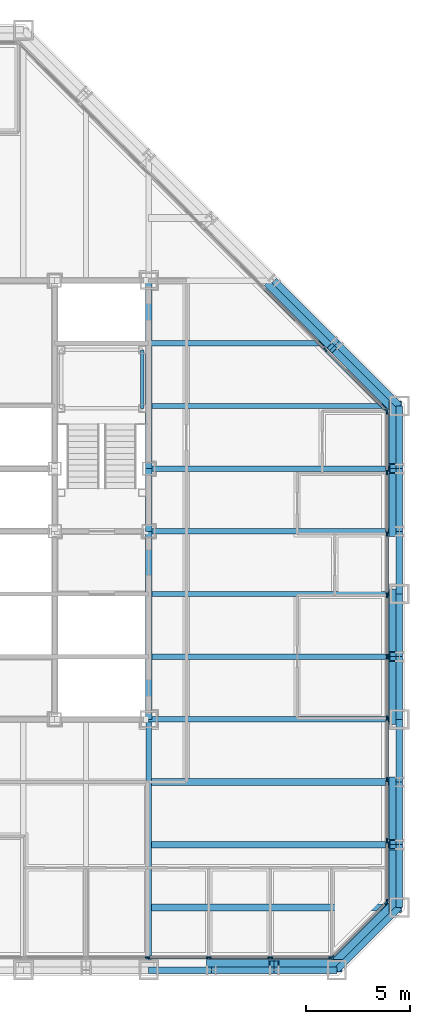
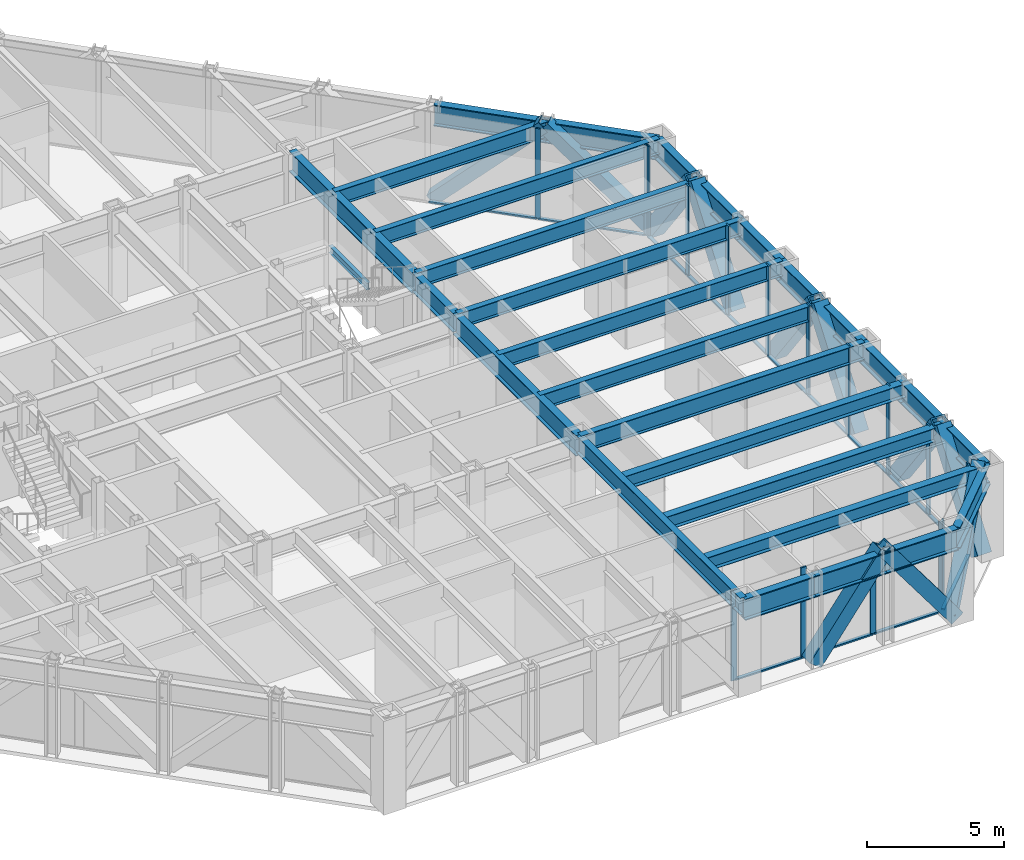
# One storey, part 6 of 16: 42 members, 29 beams, 4 elements without a shape of their own.
"""IFC4 building model written with IfcOpenShell, lengths in metres."""

from ifc_helpers import new_model, si_unit, direction, frame, origin, origin_2d, place, context, subcontext, project, spatial, rectangle, hollow_rectangle, i_section, extrude, material, layer, layer_set, material_profile, profile_set, type_object, element, aggregate, save


model = new_model("IFC4")

# Units and contexts
model_context = context("Model", 3, precision=1e-05, world=origin(), true_north=direction((0.0, 1.0)))
body_context = subcontext(model_context, "Body", "Model", "MODEL_VIEW")
ifc_project = project(units=[si_unit("LENGTHUNIT", "METRE"), si_unit("AREAUNIT", "SQUARE_METRE"), si_unit("VOLUMEUNIT", "CUBIC_METRE"), si_unit("PLANEANGLEUNIT", "RADIAN"), si_unit("MASSUNIT", "GRAM", prefix="KILO")], contexts=[model_context])

# Site, building, storey
site_placement = place(None, origin())
site = spatial("IfcSite", under=ifc_project, at=site_placement, CompositionType="ELEMENT")
building_placement = place(site_placement, origin())
building = spatial("IfcBuilding", under=site, at=building_placement, Name="Chuquiago Exchange Tower", CompositionType="ELEMENT")
storey_placement = place(building_placement, frame((0.0, 0.0, 153.0)))
storey = spatial("IfcBuildingStorey", under=building, at=storey_placement, Name="L33", CompositionType="ELEMENT", Elevation=153.0)

# Beams
ifc_material_1 = material(Name="Steel ASTM A992", Category="steel")
ifc_material_profile_1 = material_profile(ifc_material_1, i_section(OverallWidth=0.25390625, OverallDepth=0.683349609375, WebThickness=0.012451171875, FlangeThickness=0.018798828125, at=origin_2d()), Name="W27X94")
ifc_profile_set_1 = profile_set([ifc_material_profile_1], Name="Steel ASTM A992")
beam_type_1 = type_object("IfcBeamType", Name="B1 W27X94", PredefinedType="BEAM", material=ifc_profile_set_1)
for number, where, z_axis, x_axis, name in (
    (1, (33.0, 15.0, 3.698486328125), (1.0, 0.0, 0.0), (0.0, 1.0, 0.0), "FB-L34-infill-33_15-45_15-0"),
    (2, (33.0, 18.0, 3.698486328125), (1.0, 0.0, 0.0), (0.0, 1.0, 0.0), "FB-L34-infill-33_18-45_18-0"),
    (3, (33.0, 21.0, 3.698486328125), (1.0, 0.0, 0.0), (0.0, 1.0, 0.0), "FB-L34-infill-33_21-45_21-0"),
    (4, (33.0, 24.0, 3.698486328125), (1.0, 0.0, 0.0), (0.0, 1.0, 0.0), "FB-L34-infill-33_24-45_24-0"),
    (5, (33.0, 27.0, 3.698486328125), (1.0, 0.0, 0.0), (0.0, 1.0, 0.0), "FB-L34-infill-33_27-45_27-0"),
):
    element("IfcBeam", number, at=place(storey_placement, frame(where, z_axis=z_axis, x_axis=x_axis)), inside=storey, type_object=beam_type_1, Name=name, PredefinedType="BEAM", context=body_context, shape_type="SweptSolid", body=[
        extrude(i_section(OverallWidth=0.25390625, OverallDepth=0.683349609375, WebThickness=0.012451171875, FlangeThickness=0.018798828125, at=origin_2d()), origin(), (0.0, 0.0, 1.0), 12.0),
    ])
beam_1_placement = place(storey_placement, frame((33.0, 30.0, 3.698486328125), z_axis=(1.0, 0.0, 0.0), x_axis=(0.0, 1.0, 0.0)))
element("IfcBeam", 6, at=beam_1_placement, inside=storey, type_object=beam_type_1, Name="FB-L34-infill-33_30-42_30-0", PredefinedType="BEAM", context=body_context, shape_type="SweptSolid", body=[
    extrude(i_section(OverallWidth=0.25390625, OverallDepth=0.683349609375, WebThickness=0.012451171875, FlangeThickness=0.018798828125, at=origin_2d()), origin(), (0.0, 0.0, 1.0), 9.0),
])
ifc_material_2 = material(Name="Steel ASTM A992", Category="steel")
ifc_material_profile_2 = material_profile(ifc_material_2, i_section(OverallWidth=0.307373046875, OverallDepth=0.927001953125, WebThickness=0.01953125, FlangeThickness=0.031982421875, at=origin_2d()), Name="W36X194")
ifc_profile_set_2 = profile_set([ifc_material_profile_2], Name="Steel ASTM A992")
beam_type_2 = type_object("IfcBeamType", Name="B10 W36X194", PredefinedType="BEAM", material=ifc_profile_set_2)
for number, where, z_axis, x_axis, name in (
    (7, (33.0, 12.0, 3.576416015625), (0.0, 1.0, 0.0), (-1.0, 0.0, 0.0), "CB-L34-33_12-33_21"),
    (8, (33.0, 24.0, 3.576416015625), (0.0, 1.0, 0.0), (-1.0, 0.0, 0.0), "CB-L34-33_24-33_33"),
):
    element("IfcBeam", number, at=place(storey_placement, frame(where, z_axis=z_axis, x_axis=x_axis)), inside=storey, type_object=beam_type_2, Name=name, PredefinedType="BEAM", context=body_context, shape_type="SweptSolid", body=[
        extrude(i_section(OverallWidth=0.307373046875, OverallDepth=0.927001953125, WebThickness=0.01953125, FlangeThickness=0.031982421875, at=origin_2d()), origin(), (0.0, 0.0, 1.0), 9.0),
    ])
ifc_material_3 = material(Name="Steel ASTM A992", Category="steel")
ifc_material_profile_3 = material_profile(ifc_material_3, i_section(OverallWidth=0.3251953125, OverallDepth=0.612060546875, WebThickness=0.0126953125, FlangeThickness=0.01904296875, at=origin_2d()), Name="W24X104")
ifc_profile_set_3 = profile_set([ifc_material_profile_3], Name="Steel ASTM A992")
beam_type_3 = type_object("IfcBeamType", Name="B2 W24X104", PredefinedType="BEAM", material=ifc_profile_set_3)
for number, where, z_axis, x_axis, name in (
    (9, (33.0, 3.0, 3.73388671875), (1.0, 0.0, 0.0), (0.0, 1.0, 0.0), "FB-L34-corner-33_3-45_3-0"),
    (10, (33.0, 6.0, 3.73388671875), (1.0, 0.0, 0.0), (0.0, 1.0, 0.0), "FB-L34-corner-33_6-45_6-0"),
    (11, (33.0, 9.0, 3.73388671875), (1.0, 0.0, 0.0), (0.0, 1.0, 0.0), "FB-L34-corner-33_9-45_9-0"),
):
    element("IfcBeam", number, at=place(storey_placement, frame(where, z_axis=z_axis, x_axis=x_axis)), inside=storey, type_object=beam_type_3, Name=name, PredefinedType="BEAM", context=body_context, shape_type="SweptSolid", body=[
        extrude(i_section(OverallWidth=0.3251953125, OverallDepth=0.612060546875, WebThickness=0.0126953125, FlangeThickness=0.01904296875, at=origin_2d()), origin(), (0.0, 0.0, 1.0), 12.0),
    ])
ifc_material_4 = material(Name="Steel ASTM A992", Category="steel")
ifc_material_profile_4 = material_profile(ifc_material_4, i_section(OverallWidth=0.2919921875, OverallDepth=0.8583984375, WebThickness=0.01708984375, FlangeThickness=0.031005859375, at=origin_2d()), Name="W33X169")
ifc_profile_set_4 = profile_set([ifc_material_profile_4], Name="Steel ASTM A992")
beam_type_4 = type_object("IfcBeamType", Name="B3 W33X169", PredefinedType="BEAM", material=ifc_profile_set_4)
beam_2_placement = place(storey_placement, frame((33.0, 21.0, 3.610595703125), z_axis=(0.0, 1.0, 0.0), x_axis=(-1.0, 0.0, 0.0)))
element("IfcBeam", 12, at=beam_2_placement, inside=storey, type_object=beam_type_4, Name="CB-L34-33_21-33_24", PredefinedType="BEAM", context=body_context, shape_type="SweptSolid", body=[
    extrude(i_section(OverallWidth=0.2919921875, OverallDepth=0.8583984375, WebThickness=0.01708984375, FlangeThickness=0.031005859375, at=origin_2d()), origin(), (0.0, 0.0, 1.0), 3.0),
])

# Curtain wall, members
ifc_material_5 = material(Name="Aluminium curtain wall system", Category="aluminium")
ifc_layer_1 = layer(ifc_material_5, 0.22509765625)
ifc_layer_set_1 = layer_set([ifc_layer_1], Name="CW2 office curtain wall")
curtain_wall_type_1 = type_object("IfcCurtainWallType", Name="CW2 office curtain wall", PredefinedType="NOTDEFINED", material=ifc_layer_set_1)
curtain_wall_1_placement = place(storey_placement, origin())
curtain_wall_1 = element("IfcCurtainWall", 13, at=curtain_wall_1_placement, inside=storey, type_object=curtain_wall_type_1, Name="CW2 curtain wall L33", PredefinedType="NOTDEFINED")
ifc_material_6 = material(Name="Aluminium mullion, pale anodised", Category="aluminium")
ifc_material_profile_5 = material_profile(ifc_material_6, rectangle(XDim=0.06494140625, YDim=0.22509765625, at=origin_2d()), Name="AL 65x225")
ifc_profile_set_5 = profile_set([ifc_material_profile_5], Name="Aluminium mullion, pale anodised")
member_type_1 = type_object("IfcMemberType", Name="CW2-M mullion 65x225", PredefinedType="MULLION", material=ifc_profile_set_5)
member_1_placement = place(storey_placement, frame((32.93798828125, 0.60009765625, 0.0), z_axis=(0.0, 0.0, 1.0), x_axis=(0.0, 1.0, 0.0)))
member_1 = element("IfcMember", 14, at=member_1_placement, type_object=member_type_1, Name="CW2 mullion 6", PredefinedType="MULLION", context=body_context, shape_type="SweptSolid", body=[
    extrude(rectangle(XDim=0.06494140625, YDim=0.22509765625, at=origin_2d()), origin(), (0.0, 0.0, 1.0), 4.0400390625),
])
member_2_placement = place(storey_placement, frame((35.875732421875, 0.60009765625, 0.0), z_axis=(0.0, 0.0, 1.0), x_axis=(0.0, 1.0, 0.0)))
member_2 = element("IfcMember", 15, at=member_2_placement, type_object=member_type_1, Name="CW2 mullion 7", PredefinedType="MULLION", context=body_context, shape_type="SweptSolid", body=[
    extrude(rectangle(XDim=0.06494140625, YDim=0.22509765625, at=origin_2d()), origin(), (0.0, 0.0, 1.0), 4.0400390625),
])
member_3_placement = place(storey_placement, frame((38.813720703125, 0.60009765625, 0.0), z_axis=(0.0, 0.0, 1.0), x_axis=(0.0, 1.0, 0.0)))
member_3 = element("IfcMember", 16, at=member_3_placement, type_object=member_type_1, Name="CW2 mullion 8", PredefinedType="MULLION", context=body_context, shape_type="SweptSolid", body=[
    extrude(rectangle(XDim=0.06494140625, YDim=0.22509765625, at=origin_2d()), origin(), (0.0, 0.0, 1.0), 4.0400390625),
])
member_4_placement = place(storey_placement, frame((41.718994140625, 0.60009765625, 0.0), z_axis=(0.0, 0.0, 1.0), x_axis=(0.0, 1.0, 0.0)))
member_4 = element("IfcMember", 17, at=member_4_placement, type_object=member_type_1, Name="CW2 mullion 9", PredefinedType="MULLION", context=body_context, shape_type="SweptSolid", body=[
    extrude(rectangle(XDim=0.06494140625, YDim=0.22509765625, at=origin_2d()), origin(), (0.0, 0.0, 1.0), 4.0400390625),
])

curtain_wall_2_placement = place(storey_placement, origin())
curtain_wall_2 = element("IfcCurtainWall", 18, at=curtain_wall_2_placement, inside=storey, type_object=curtain_wall_type_1, Name="CW2 curtain wall L33", PredefinedType="NOTDEFINED")
member_5_placement = place(storey_placement, frame((44.39990234375, 3.281005859375, 0.0), z_axis=(0.0, 0.0, 1.0), x_axis=(-1.0, 0.0, 0.0)))
member_5 = element("IfcMember", 19, at=member_5_placement, type_object=member_type_1, Name="CW2 mullion 1", PredefinedType="MULLION", context=body_context, shape_type="SweptSolid", body=[
    extrude(rectangle(XDim=0.06494140625, YDim=0.22509765625, at=origin_2d()), origin(), (0.0, 0.0, 1.0), 4.0400390625),
])
member_6_placement = place(storey_placement, frame((44.39990234375, 6.186279296875, 0.0), z_axis=(0.0, 0.0, 1.0), x_axis=(-1.0, 0.0, 0.0)))
member_6 = element("IfcMember", 20, at=member_6_placement, type_object=member_type_1, Name="CW2 mullion 2", PredefinedType="MULLION", context=body_context, shape_type="SweptSolid", body=[
    extrude(rectangle(XDim=0.06494140625, YDim=0.22509765625, at=origin_2d()), origin(), (0.0, 0.0, 1.0), 4.0400390625),
])
member_7_placement = place(storey_placement, frame((44.39990234375, 9.124267578125, 0.0), z_axis=(0.0, 0.0, 1.0), x_axis=(-1.0, 0.0, 0.0)))
member_7 = element("IfcMember", 21, at=member_7_placement, type_object=member_type_1, Name="CW2 mullion 3", PredefinedType="MULLION", context=body_context, shape_type="SweptSolid", body=[
    extrude(rectangle(XDim=0.06494140625, YDim=0.22509765625, at=origin_2d()), origin(), (0.0, 0.0, 1.0), 4.0400390625),
])
member_8_placement = place(storey_placement, frame((44.39990234375, 12.06201171875, 0.0), z_axis=(0.0, 0.0, 1.0), x_axis=(-1.0, 0.0, 0.0)))
member_8 = element("IfcMember", 22, at=member_8_placement, type_object=member_type_1, Name="CW2 mullion 4", PredefinedType="MULLION", context=body_context, shape_type="SweptSolid", body=[
    extrude(rectangle(XDim=0.06494140625, YDim=0.22509765625, at=origin_2d()), origin(), (0.0, 0.0, 1.0), 4.0400390625),
])
member_9_placement = place(storey_placement, frame((44.39990234375, 15.0, 0.0), z_axis=(0.0, 0.0, 1.0), x_axis=(-1.0, 0.0, 0.0)))
member_9 = element("IfcMember", 23, at=member_9_placement, type_object=member_type_1, Name="CW2 mullion 5", PredefinedType="MULLION", context=body_context, shape_type="SweptSolid", body=[
    extrude(rectangle(XDim=0.06494140625, YDim=0.22509765625, at=origin_2d()), origin(), (0.0, 0.0, 1.0), 4.0400390625),
])
member_10_placement = place(storey_placement, frame((44.39990234375, 17.93798828125, 0.0), z_axis=(0.0, 0.0, 1.0), x_axis=(-1.0, 0.0, 0.0)))
member_10 = element("IfcMember", 24, at=member_10_placement, type_object=member_type_1, Name="CW2 mullion 6", PredefinedType="MULLION", context=body_context, shape_type="SweptSolid", body=[
    extrude(rectangle(XDim=0.06494140625, YDim=0.22509765625, at=origin_2d()), origin(), (0.0, 0.0, 1.0), 4.0400390625),
])
member_11_placement = place(storey_placement, frame((44.39990234375, 20.875732421875, 0.0), z_axis=(0.0, 0.0, 1.0), x_axis=(-1.0, 0.0, 0.0)))
member_11 = element("IfcMember", 25, at=member_11_placement, type_object=member_type_1, Name="CW2 mullion 7", PredefinedType="MULLION", context=body_context, shape_type="SweptSolid", body=[
    extrude(rectangle(XDim=0.06494140625, YDim=0.22509765625, at=origin_2d()), origin(), (0.0, 0.0, 1.0), 4.0400390625),
])
member_12_placement = place(storey_placement, frame((44.39990234375, 23.813720703125, 0.0), z_axis=(0.0, 0.0, 1.0), x_axis=(-1.0, 0.0, 0.0)))
member_12 = element("IfcMember", 26, at=member_12_placement, type_object=member_type_1, Name="CW2 mullion 8", PredefinedType="MULLION", context=body_context, shape_type="SweptSolid", body=[
    extrude(rectangle(XDim=0.06494140625, YDim=0.22509765625, at=origin_2d()), origin(), (0.0, 0.0, 1.0), 4.0400390625),
])
member_13_placement = place(storey_placement, frame((44.39990234375, 26.718994140625, 0.0), z_axis=(0.0, 0.0, 1.0), x_axis=(-1.0, 0.0, 0.0)))
member_13 = element("IfcMember", 27, at=member_13_placement, type_object=member_type_1, Name="CW2 mullion 9", PredefinedType="MULLION", context=body_context, shape_type="SweptSolid", body=[
    extrude(rectangle(XDim=0.06494140625, YDim=0.22509765625, at=origin_2d()), origin(), (0.0, 0.0, 1.0), 4.0400390625),
])

# Member
ifc_material_7 = material(Name="Aluminium transom, pale anodised", Category="aluminium")
ifc_material_profile_6 = material_profile(ifc_material_7, rectangle(XDim=0.139892578125, YDim=0.06494140625, at=origin_2d()), Name="AL 140x65")
ifc_profile_set_6 = profile_set([ifc_material_profile_6], Name="Aluminium transom, pale anodised")
member_type_2 = type_object("IfcMemberType", Name="CW2-T transom 65x140", PredefinedType="MULLION", material=ifc_profile_set_6)
member_14_placement = place(storey_placement, frame((32.970458984375, 0.60009765625, 0.032470703125), z_axis=(1.0, 0.0, 0.0), x_axis=(0.0, 1.0, 0.0)))
member_14 = element("IfcMember", 28, at=member_14_placement, type_object=member_type_2, Name="CW2 transom 6.1", PredefinedType="MULLION", context=body_context, shape_type="SweptSolid", body=[
    extrude(rectangle(XDim=0.139892578125, YDim=0.06494140625, at=origin_2d()), origin(), (0.0, 0.0, 1.0), 2.872802734375),
])

member_15_placement = place(storey_placement, frame((35.908203125, 0.60009765625, 0.032470703125), z_axis=(1.0, 0.0, 0.0), x_axis=(0.0, 1.0, 0.0)))
member_15 = element("IfcMember", 29, at=member_15_placement, type_object=member_type_2, Name="CW2 transom 7.1", PredefinedType="MULLION", context=body_context, shape_type="SweptSolid", body=[
    extrude(rectangle(XDim=0.139892578125, YDim=0.06494140625, at=origin_2d()), origin(), (0.0, 0.0, 1.0), 2.872802734375),
])

member_16_placement = place(storey_placement, frame((38.84619140625, 0.60009765625, 0.032470703125), z_axis=(1.0, 0.0, 0.0), x_axis=(0.0, 1.0, 0.0)))
member_16 = element("IfcMember", 30, at=member_16_placement, type_object=member_type_2, Name="CW2 transom 8.1", PredefinedType="MULLION", context=body_context, shape_type="SweptSolid", body=[
    extrude(rectangle(XDim=0.139892578125, YDim=0.06494140625, at=origin_2d()), origin(), (0.0, 0.0, 1.0), 2.84033203125),
])

aggregate(curtain_wall_1, [member_1, member_2, member_3, member_4, member_14, member_15, member_16])

member_17_placement = place(storey_placement, frame((44.39990234375, 3.3134765625, 0.032470703125), z_axis=(0.0, 1.0, 0.0), x_axis=(-1.0, 0.0, 0.0)))
member_17 = element("IfcMember", 31, at=member_17_placement, type_object=member_type_2, Name="CW2 transom 1.1", PredefinedType="MULLION", context=body_context, shape_type="SweptSolid", body=[
    extrude(rectangle(XDim=0.139892578125, YDim=0.06494140625, at=origin_2d()), origin(), (0.0, 0.0, 1.0), 2.84033203125),
])

member_18_placement = place(storey_placement, frame((44.39990234375, 6.218994140625, 0.032470703125), z_axis=(0.0, 1.0, 0.0), x_axis=(-1.0, 0.0, 0.0)))
member_18 = element("IfcMember", 32, at=member_18_placement, type_object=member_type_2, Name="CW2 transom 2.1", PredefinedType="MULLION", context=body_context, shape_type="SweptSolid", body=[
    extrude(rectangle(XDim=0.139892578125, YDim=0.06494140625, at=origin_2d()), origin(), (0.0, 0.0, 1.0), 2.872802734375),
])

member_19_placement = place(storey_placement, frame((44.39990234375, 9.15673828125, 0.032470703125), z_axis=(0.0, 1.0, 0.0), x_axis=(-1.0, 0.0, 0.0)))
member_19 = element("IfcMember", 33, at=member_19_placement, type_object=member_type_2, Name="CW2 transom 3.1", PredefinedType="MULLION", context=body_context, shape_type="SweptSolid", body=[
    extrude(rectangle(XDim=0.139892578125, YDim=0.06494140625, at=origin_2d()), origin(), (0.0, 0.0, 1.0), 2.872802734375),
])

member_20_placement = place(storey_placement, frame((44.39990234375, 12.0947265625, 0.032470703125), z_axis=(0.0, 1.0, 0.0), x_axis=(-1.0, 0.0, 0.0)))
member_20 = element("IfcMember", 34, at=member_20_placement, type_object=member_type_2, Name="CW2 transom 4.1", PredefinedType="MULLION", context=body_context, shape_type="SweptSolid", body=[
    extrude(rectangle(XDim=0.139892578125, YDim=0.06494140625, at=origin_2d()), origin(), (0.0, 0.0, 1.0), 2.872802734375),
])

member_21_placement = place(storey_placement, frame((44.39990234375, 15.032470703125, 0.032470703125), z_axis=(0.0, 1.0, 0.0), x_axis=(-1.0, 0.0, 0.0)))
member_21 = element("IfcMember", 35, at=member_21_placement, type_object=member_type_2, Name="CW2 transom 5.1", PredefinedType="MULLION", context=body_context, shape_type="SweptSolid", body=[
    extrude(rectangle(XDim=0.139892578125, YDim=0.06494140625, at=origin_2d()), origin(), (0.0, 0.0, 1.0), 2.872802734375),
])

member_22_placement = place(storey_placement, frame((44.39990234375, 17.970458984375, 0.032470703125), z_axis=(0.0, 1.0, 0.0), x_axis=(-1.0, 0.0, 0.0)))
member_22 = element("IfcMember", 36, at=member_22_placement, type_object=member_type_2, Name="CW2 transom 6.1", PredefinedType="MULLION", context=body_context, shape_type="SweptSolid", body=[
    extrude(rectangle(XDim=0.139892578125, YDim=0.06494140625, at=origin_2d()), origin(), (0.0, 0.0, 1.0), 2.872802734375),
])

member_23_placement = place(storey_placement, frame((44.39990234375, 20.908203125, 0.032470703125), z_axis=(0.0, 1.0, 0.0), x_axis=(-1.0, 0.0, 0.0)))
member_23 = element("IfcMember", 37, at=member_23_placement, type_object=member_type_2, Name="CW2 transom 7.1", PredefinedType="MULLION", context=body_context, shape_type="SweptSolid", body=[
    extrude(rectangle(XDim=0.139892578125, YDim=0.06494140625, at=origin_2d()), origin(), (0.0, 0.0, 1.0), 2.872802734375),
])

member_24_placement = place(storey_placement, frame((44.39990234375, 23.84619140625, 0.032470703125), z_axis=(0.0, 1.0, 0.0), x_axis=(-1.0, 0.0, 0.0)))
member_24 = element("IfcMember", 38, at=member_24_placement, type_object=member_type_2, Name="CW2 transom 8.1", PredefinedType="MULLION", context=body_context, shape_type="SweptSolid", body=[
    extrude(rectangle(XDim=0.139892578125, YDim=0.06494140625, at=origin_2d()), origin(), (0.0, 0.0, 1.0), 2.84033203125),
])

aggregate(curtain_wall_2, [member_5, member_6, member_7, member_8, member_9, member_10, member_11, member_12, member_13, member_17, member_18, member_19, member_20, member_21, member_22, member_23, member_24])

# Curtain wall, members
ifc_material_8 = material(Name="Aluminium curtain wall system", Category="aluminium")
ifc_layer_2 = layer(ifc_material_8, 0.199951171875)
ifc_layer_set_2 = layer_set([ifc_layer_2], Name="CW3 facet curtain wall")
curtain_wall_type_2 = type_object("IfcCurtainWallType", Name="CW3 facet curtain wall", PredefinedType="NOTDEFINED", material=ifc_layer_set_2)
curtain_wall_3_placement = place(storey_placement, origin())
curtain_wall_3 = element("IfcCurtainWall", 39, at=curtain_wall_3_placement, inside=storey, type_object=curtain_wall_type_2, Name="CW3 curtain wall L33", PredefinedType="NOTDEFINED")
ifc_material_9 = material(Name="Aluminium mullion, pale anodised", Category="aluminium")
ifc_material_profile_7 = material_profile(ifc_material_9, rectangle(XDim=0.06494140625, YDim=0.199951171875, at=origin_2d()), Name="AL 65x200")
ifc_profile_set_7 = profile_set([ifc_material_profile_7], Name="Aluminium mullion, pale anodised")
member_type_3 = type_object("IfcMemberType", Name="CW3-M mullion 65x200", PredefinedType="MULLION", material=ifc_profile_set_7)
member_25_placement = place(storey_placement, frame((41.7744140625, 0.623046875, 0.0), z_axis=(0.0, 0.0, 1.0), x_axis=(-0.707106781187, 0.707106781187, 0.0)))
member_25 = element("IfcMember", 40, at=member_25_placement, type_object=member_type_3, Name="CW3 mullion 1", PredefinedType="MULLION", context=body_context, shape_type="SweptSolid", body=[
    extrude(rectangle(XDim=0.06494140625, YDim=0.199951171875, at=origin_2d()), origin(), (0.0, 0.0, 1.0), 4.0400390625),
])
member_26_placement = place(storey_placement, frame((44.376953125, 3.2255859375, 0.0), z_axis=(0.0, 0.0, 1.0), x_axis=(-0.707106781187, 0.707106781187, 0.0)))
member_26 = element("IfcMember", 41, at=member_26_placement, type_object=member_type_3, Name="CW3 mullion 2", PredefinedType="MULLION", context=body_context, shape_type="SweptSolid", body=[
    extrude(rectangle(XDim=0.06494140625, YDim=0.199951171875, at=origin_2d()), origin(), (0.0, 0.0, 1.0), 4.0400390625),
])

curtain_wall_4_placement = place(storey_placement, origin())
curtain_wall_4 = element("IfcCurtainWall", 42, at=curtain_wall_4_placement, inside=storey, type_object=curtain_wall_type_2, Name="CW3 curtain wall L33", PredefinedType="NOTDEFINED")
member_27_placement = place(storey_placement, frame((44.376953125, 26.7744140625, 0.0), z_axis=(0.0, 0.0, 1.0), x_axis=(-0.707106781187, -0.707106781187, 0.0)))
member_27 = element("IfcMember", 43, at=member_27_placement, type_object=member_type_3, Name="CW3 mullion 1", PredefinedType="MULLION", context=body_context, shape_type="SweptSolid", body=[
    extrude(rectangle(XDim=0.06494140625, YDim=0.199951171875, at=origin_2d()), origin(), (0.0, 0.0, 1.0), 4.0400390625),
])
member_28_placement = place(storey_placement, frame((41.45849609375, 29.69287109375, 0.0), z_axis=(0.0, 0.0, 1.0), x_axis=(-0.707106781187, -0.707106781187, 0.0)))
member_28 = element("IfcMember", 44, at=member_28_placement, type_object=member_type_3, Name="CW3 mullion 2", PredefinedType="MULLION", context=body_context, shape_type="SweptSolid", body=[
    extrude(rectangle(XDim=0.06494140625, YDim=0.199951171875, at=origin_2d()), origin(), (0.0, 0.0, 1.0), 4.0400390625),
])

# Member
ifc_material_10 = material(Name="Aluminium transom, pale anodised", Category="aluminium")
ifc_material_profile_8 = material_profile(ifc_material_10, rectangle(XDim=0.139892578125, YDim=0.06494140625, at=origin_2d()), Name="AL 140x65")
ifc_profile_set_8 = profile_set([ifc_material_profile_8], Name="Aluminium transom, pale anodised")
member_type_4 = type_object("IfcMemberType", Name="CW3-T transom 65x140", PredefinedType="MULLION", material=ifc_profile_set_8)
member_29_placement = place(storey_placement, frame((41.79736328125, 0.64599609375, 0.032470703125), z_axis=(0.707106781187, 0.707106781187, 0.0), x_axis=(-0.707106781187, 0.707106781187, 0.0)))
member_29 = element("IfcMember", 45, at=member_29_placement, type_object=member_type_4, Name="CW3 transom 1.1", PredefinedType="MULLION", context=body_context, shape_type="SweptSolid", body=[
    extrude(rectangle(XDim=0.139892578125, YDim=0.06494140625, at=origin_2d()), origin(), (0.0, 0.0, 1.0), 3.61572265625),
])

aggregate(curtain_wall_3, [member_25, member_26, member_29])

member_30_placement = place(storey_placement, frame((44.35400390625, 26.79736328125, 0.032470703125), z_axis=(-0.707106781187, 0.707106781187, 0.0), x_axis=(-0.707106781187, -0.707106781187, 0.0)))
member_30 = element("IfcMember", 46, at=member_30_placement, type_object=member_type_4, Name="CW3 transom 1.1", PredefinedType="MULLION", context=body_context, shape_type="SweptSolid", body=[
    extrude(rectangle(XDim=0.139892578125, YDim=0.06494140625, at=origin_2d()), origin(), (0.0, 0.0, 1.0), 4.0625),
])

member_31_placement = place(storey_placement, frame((41.435546875, 29.7158203125, 0.032470703125), z_axis=(-0.707106781187, 0.707106781187, 0.0), x_axis=(-0.707106781187, -0.707106781187, 0.0)))
member_31 = element("IfcMember", 47, at=member_31_placement, type_object=member_type_4, Name="CW3 transom 2.1", PredefinedType="MULLION", context=body_context, shape_type="SweptSolid", body=[
    extrude(rectangle(XDim=0.139892578125, YDim=0.06494140625, at=origin_2d()), origin(), (0.0, 0.0, 1.0), 4.094970703125),
])

aggregate(curtain_wall_4, [member_27, member_28, member_30, member_31])

# Beams
ifc_material_11 = material(Name="Steel ASTM A992", Category="steel")
ifc_material_profile_9 = material_profile(ifc_material_11, i_section(OverallWidth=0.2666015625, OverallDepth=0.76953125, WebThickness=0.015625, FlangeThickness=0.025390625, at=origin_2d()), Name="W30X132")
ifc_profile_set_9 = profile_set([ifc_material_profile_9], Name="Steel ASTM A992")
beam_type_5 = type_object("IfcBeamType", Name="G1 W30X132", PredefinedType="BEAM", material=ifc_profile_set_9)
for number, where, z_axis, x_axis, name in (
    (48, (33.0, 12.0, 3.6552734375), (0.0, -1.0, 0.0), (1.0, 0.0, 0.0), "FB-L34-girder-33_12-33_-0-0"),
    (49, (33.0, 12.0, 3.6552734375), (1.0, 0.0, 0.0), (0.0, 1.0, 0.0), "FB-L34-girder-33_12-45_12-0"),
):
    element("IfcBeam", number, at=place(storey_placement, frame(where, z_axis=z_axis, x_axis=x_axis)), inside=storey, type_object=beam_type_5, Name=name, PredefinedType="BEAM", context=body_context, shape_type="SweptSolid", body=[
        extrude(i_section(OverallWidth=0.2666015625, OverallDepth=0.76953125, WebThickness=0.015625, FlangeThickness=0.025390625, at=origin_2d()), origin(), (0.0, 0.0, 1.0), 12.0),
    ])

# Members
ifc_material_12 = material(Name="Steel ASTM A500 Grade C", Category="steel")
ifc_material_profile_10 = material_profile(ifc_material_12, hollow_rectangle(XDim=0.508056640625, YDim=0.508056640625, WallThickness=0.017822265625, at=origin_2d()), Name="HSS20X20X3/4")
ifc_profile_set_10 = profile_set([ifc_material_profile_10], Name="Steel ASTM A500 Grade C")
member_type_5 = type_object("IfcMemberType", Name="LB1 HSS20X20X3/4", PredefinedType="BRACE", material=ifc_profile_set_10)
for number, where, z_axis, x_axis, name in (
    (50, (41.822509765625, 0.177490234375, 0.0), (0.512077265487, 0.512077265487, 0.689604051861), (-0.707106781187, 0.707106781187, 0.0), "LB-L33-42_0-45_3"),
    (51, (44.822509765625, 26.822509765625, 0.0), (-0.512077265487, 0.512077265487, 0.689604051861), (-0.707106781187, -0.707106781187, 0.0), "LB-L33-45_27-42_30"),
    (52, (38.822509765625, 32.822509765625, 0.0), (0.512077265487, -0.512077265487, 0.689604051861), (0.707106781187, 0.707106781187, 0.0), "LB-L33-42_30-39_33"),
):
    element("IfcMember", number, at=place(storey_placement, frame(where, z_axis=z_axis, x_axis=x_axis)), inside=storey, type_object=member_type_5, Name=name, PredefinedType="BRACE", context=body_context, shape_type="SweptSolid", body=[
        extrude(hollow_rectangle(XDim=0.508056640625, YDim=0.508056640625, WallThickness=0.017822265625, at=origin_2d()), origin(), (0.0, 0.0, 1.0), 5.8583984375),
    ])

# Beam
ifc_material_13 = material(Name="Steel ASTM A992", Category="steel")
ifc_material_profile_11 = material_profile(ifc_material_13, i_section(OverallWidth=0.164794921875, OverallDepth=0.309814453125, WebThickness=0.005859375, FlangeThickness=0.009765625, at=origin_2d()), Name="W12X26")
ifc_profile_set_11 = profile_set([ifc_material_profile_11], Name="Steel ASTM A992")
beam_type_6 = type_object("IfcBeamType", Name="LS1 W12X26", PredefinedType="BEAM", material=ifc_profile_set_11)
beam_3_placement = place(storey_placement, frame((32.68994140625, 26.889892578125, 1.7451171875), z_axis=(0.0, 1.0, 0.0), x_axis=(-1.0, 0.0, 0.0)))
element("IfcBeam", 53, at=beam_3_placement, inside=storey, type_object=beam_type_6, Name="Stair ST2 L33 landing 1 stringer", PredefinedType="BEAM", context=body_context, shape_type="SweptSolid", body=[
    extrude(i_section(OverallWidth=0.164794921875, OverallDepth=0.309814453125, WebThickness=0.005859375, FlangeThickness=0.009765625, at=origin_2d()), origin(), (0.0, 0.0, 1.0), 2.800048828125),
])

# Members
ifc_material_14 = material(Name="Steel ASTM A572 Grade 50", Category="steel")
ifc_material_profile_12 = material_profile(ifc_material_14, hollow_rectangle(XDim=0.60009765625, YDim=0.60009765625, WallThickness=0.06005859375, at=origin_2d()), Name="BOX600X600X60")
ifc_profile_set_12 = profile_set([ifc_material_profile_12], Name="Steel ASTM A572 Grade 50")
member_type_6 = type_object("IfcMemberType", Name="MB2 BOX600X600X60", PredefinedType="BRACE", material=ifc_profile_set_12)
for number, where, z_axis, x_axis, name in (
    (54, (36.0, 0.205078125, 0.0), (0.596173923302, 0.0, 0.802855312728), (0.0, 1.0, 0.0), "Mega diagonal L33 S face"),
    (55, (42.0, 0.205078125, 0.0), (-0.596173923302, 0.0, 0.802855312728), (0.0, -1.0, 0.0), "Mega diagonal L33 S face"),
    (56, (44.794921875, 3.0, 0.0), (0.0, 0.596173923302, 0.802855312728), (-1.0, 0.0, 0.0), "Mega diagonal L33 E face"),
    (57, (44.794921875, 9.0, 0.0), (0.0, -0.596173923302, 0.802855312728), (1.0, 0.0, 0.0), "Mega diagonal L33 E face"),
    (58, (44.794921875, 12.0, 0.0), (0.0, 0.596173923302, 0.802855312728), (-1.0, 0.0, 0.0), "Mega diagonal L33 E face"),
    (59, (44.794921875, 18.0, 0.0), (0.0, -0.596173923302, 0.802855312728), (1.0, 0.0, 0.0), "Mega diagonal L33 E face"),
    (60, (44.794921875, 21.0, 0.0), (0.0, 0.596173923302, 0.802855312728), (-1.0, 0.0, 0.0), "Mega diagonal L33 E face"),
    (61, (44.794921875, 27.0, 0.0), (0.0, -0.596173923302, 0.802855312728), (1.0, 0.0, 0.0), "Mega diagonal L33 E face"),
):
    element("IfcMember", number, at=place(storey_placement, frame(where, z_axis=z_axis, x_axis=x_axis)), inside=storey, type_object=member_type_6, Name=name, PredefinedType="BRACE", context=body_context, shape_type="SweptSolid", body=[
        extrude(hollow_rectangle(XDim=0.60009765625, YDim=0.60009765625, WallThickness=0.06005859375, at=origin_2d()), origin(), (0.0, 0.0, 1.0), 5.031982421875),
    ])

# Beams
ifc_material_15 = material(Name="Steel ASTM A992", Category="steel")
ifc_material_profile_13 = material_profile(ifc_material_15, i_section(OverallWidth=0.309814453125, OverallDepth=0.949951171875, WebThickness=0.0244140625, FlangeThickness=0.0439453125, at=origin_2d()), Name="W36X256")
ifc_profile_set_13 = profile_set([ifc_material_profile_13], Name="Steel ASTM A992")
beam_type_7 = type_object("IfcBeamType", Name="SP2 W36X256", PredefinedType="SPANDREL", material=ifc_profile_set_13)
for number, where, z_axis, x_axis, name in (
    (62, (33.0, 0.0, 3.56494140625), (1.0, 0.0, 0.0), (0.0, 1.0, 0.0), "SPB-L34-33_0-36_0"),
    (63, (36.0, 0.0, 3.56494140625), (1.0, 0.0, 0.0), (0.0, 1.0, 0.0), "SPB-L34-36_0-39_0"),
    (64, (39.0, 0.0, 3.56494140625), (1.0, 0.0, 0.0), (0.0, 1.0, 0.0), "SPB-L34-39_0-42_0"),
):
    element("IfcBeam", number, at=place(storey_placement, frame(where, z_axis=z_axis, x_axis=x_axis)), inside=storey, type_object=beam_type_7, Name=name, PredefinedType="SPANDREL", context=body_context, shape_type="SweptSolid", body=[
        extrude(i_section(OverallWidth=0.309814453125, OverallDepth=0.949951171875, WebThickness=0.0244140625, FlangeThickness=0.0439453125, at=origin_2d()), origin(), (0.0, 0.0, 1.0), 3.0),
    ])
beam_4_placement = place(storey_placement, frame((42.0, 0.0, 3.56494140625), z_axis=(0.707106781187, 0.707106781187, 0.0), x_axis=(-0.707106781187, 0.707106781187, 0.0)))
element("IfcBeam", 65, at=beam_4_placement, inside=storey, type_object=beam_type_7, Name="SPB-L34-42_0-45_3", PredefinedType="SPANDREL", context=body_context, shape_type="SweptSolid", body=[
    extrude(i_section(OverallWidth=0.309814453125, OverallDepth=0.949951171875, WebThickness=0.0244140625, FlangeThickness=0.0439453125, at=origin_2d()), origin(), (0.0, 0.0, 1.0), 4.24267578125),
])
for number, where, z_axis, x_axis, name in (
    (66, (45.0, 3.0, 3.56494140625), (0.0, 1.0, 0.0), (-1.0, 0.0, 0.0), "SPB-L34-45_3-45_6"),
    (67, (45.0, 6.0, 3.56494140625), (0.0, 1.0, 0.0), (-1.0, 0.0, 0.0), "SPB-L34-45_6-45_9"),
    (68, (45.0, 9.0, 3.56494140625), (0.0, 1.0, 0.0), (-1.0, 0.0, 0.0), "SPB-L34-45_9-45_12"),
    (69, (45.0, 12.0, 3.56494140625), (0.0, 1.0, 0.0), (-1.0, 0.0, 0.0), "SPB-L34-45_12-45_15"),
    (70, (45.0, 15.0, 3.56494140625), (0.0, 1.0, 0.0), (-1.0, 0.0, 0.0), "SPB-L34-45_15-45_18"),
    (71, (45.0, 18.0, 3.56494140625), (0.0, 1.0, 0.0), (-1.0, 0.0, 0.0), "SPB-L34-45_18-45_21"),
    (72, (45.0, 21.0, 3.56494140625), (0.0, 1.0, 0.0), (-1.0, 0.0, 0.0), "SPB-L34-45_21-45_24"),
    (73, (45.0, 24.0, 3.56494140625), (0.0, 1.0, 0.0), (-1.0, 0.0, 0.0), "SPB-L34-45_24-45_27"),
):
    element("IfcBeam", number, at=place(storey_placement, frame(where, z_axis=z_axis, x_axis=x_axis)), inside=storey, type_object=beam_type_7, Name=name, PredefinedType="SPANDREL", context=body_context, shape_type="SweptSolid", body=[
        extrude(i_section(OverallWidth=0.309814453125, OverallDepth=0.949951171875, WebThickness=0.0244140625, FlangeThickness=0.0439453125, at=origin_2d()), origin(), (0.0, 0.0, 1.0), 3.0),
    ])
for number, where, z_axis, x_axis, name in (
    (74, (45.0, 27.0, 3.56494140625), (-0.707106781187, 0.707106781187, 0.0), (-0.707106781187, -0.707106781187, 0.0), "SPB-L34-45_27-42_30"),
    (75, (42.0, 30.0, 3.56494140625), (-0.707106781187, 0.707106781187, 0.0), (-0.707106781187, -0.707106781187, 0.0), "SPB-L34-42_30-39_33"),
):
    element("IfcBeam", number, at=place(storey_placement, frame(where, z_axis=z_axis, x_axis=x_axis)), inside=storey, type_object=beam_type_7, Name=name, PredefinedType="SPANDREL", context=body_context, shape_type="SweptSolid", body=[
        extrude(i_section(OverallWidth=0.309814453125, OverallDepth=0.949951171875, WebThickness=0.0244140625, FlangeThickness=0.0439453125, at=origin_2d()), origin(), (0.0, 0.0, 1.0), 4.24267578125),
    ])

save(model, "model.ifc")
